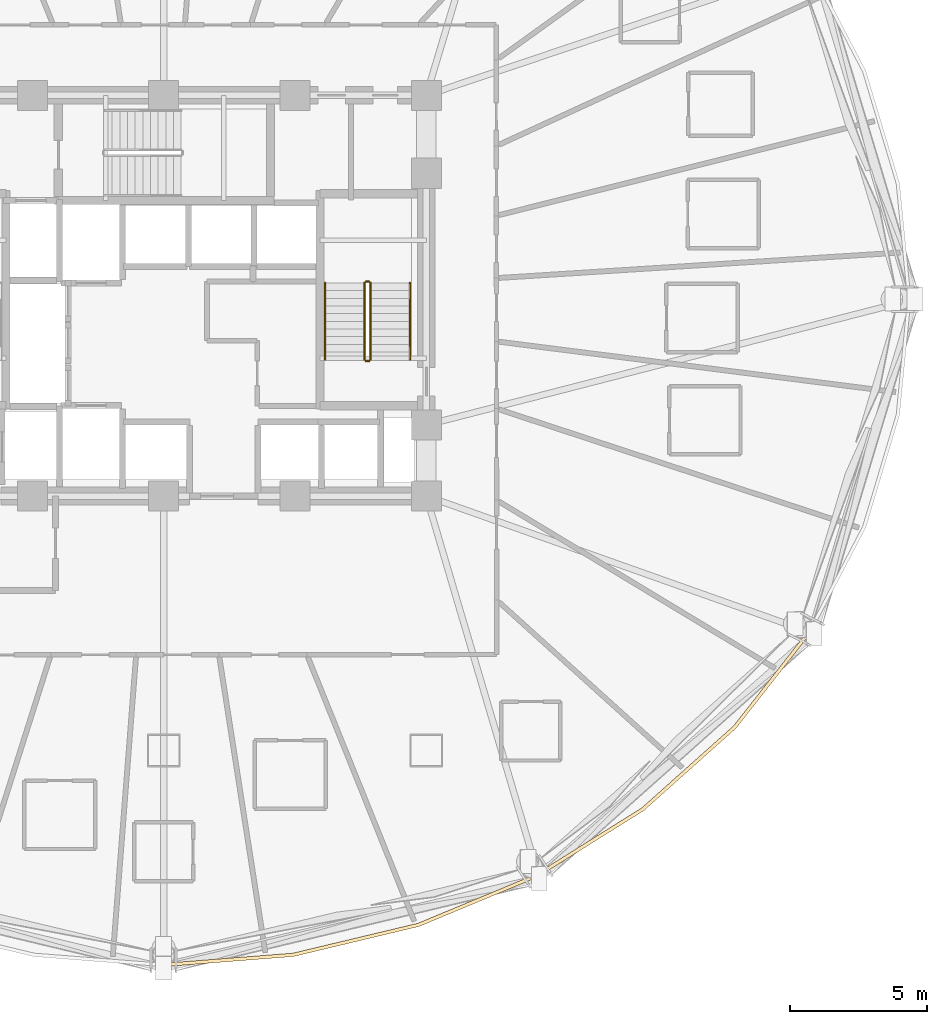
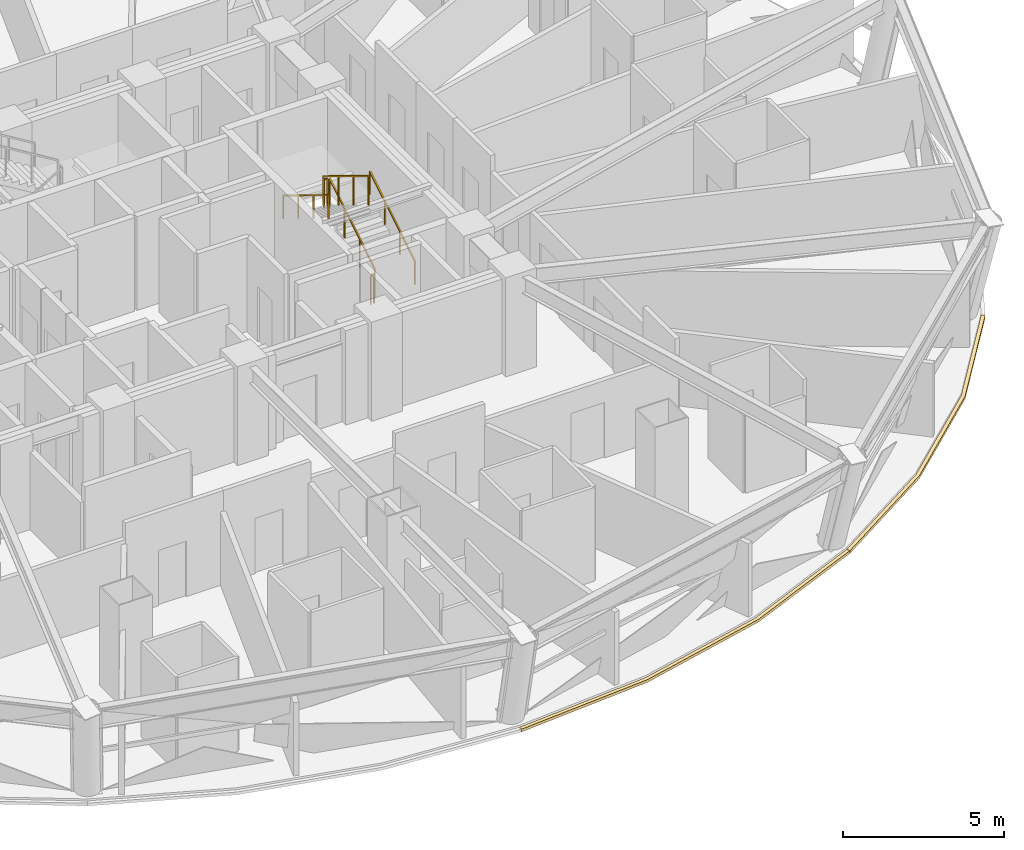
# One storey, part 12 of 13: 6 railings, 2 coverings.
"""IFC4 building model written with IfcOpenShell, lengths in metres."""

from ifc_helpers import new_model, si_unit, direction, frame, origin, origin_2d, place, context, subcontext, project, spatial, polyline, rectangle, outline, extrude, material, layer, layer_set, type_object, element, save


model = new_model("IFC4")

# Units and contexts
model_context = context("Model", 3, precision=1e-05, world=origin(), true_north=direction((0.0, 1.0)))
body_context = subcontext(model_context, "Body", "Model", "MODEL_VIEW")
ifc_project = project(units=[si_unit("LENGTHUNIT", "METRE"), si_unit("AREAUNIT", "SQUARE_METRE"), si_unit("VOLUMEUNIT", "CUBIC_METRE"), si_unit("PLANEANGLEUNIT", "RADIAN"), si_unit("MASSUNIT", "GRAM", prefix="KILO")], contexts=[model_context])

# Site, building, storey
site_placement = place(None, origin())
site = spatial("IfcSite", under=ifc_project, at=site_placement, CompositionType="ELEMENT")
building_placement = place(site_placement, origin())
building = spatial("IfcBuilding", under=site, at=building_placement, Name="Vantalir Tower", CompositionType="ELEMENT")
storey_placement = place(building_placement, frame((0.0, 0.0, 53.25)))
storey = spatial("IfcBuildingStorey", under=building, at=storey_placement, Name="L12", CompositionType="ELEMENT", Elevation=53.25)

# Coverings
ifc_material_1 = material(Name="Anodised champagne aluminium sill fascia", Category="aluminium")
ifc_layer = layer(ifc_material_1, 0.125)
ifc_layer_set = layer_set([ifc_layer], Name="Anodised champagne aluminium sill fascia")
covering_type = type_object("IfcCoveringType", Name="COV-SLAB-FASCIA-125", PredefinedType="CLADDING", material=ifc_layer_set)
covering_1_placement = place(storey_placement, frame((0.0, 0.0, -0.179931640625)))
element("IfcCovering", 1, at=covering_1_placement, inside=storey, type_object=covering_type, Name="L12 Perimeter Slab-Edge Sill Fascia 10", PredefinedType="CLADDING", context=body_context, shape_type="SweptSolid", body=[
    extrude(outline(polyline([(31.5, 0.59912109375), (36.242919921875, 0.969970703125), (40.842041015625, 2.071044921875), (45.156982421875, 3.867919921875), (45.094970703125, 3.97607421875), (40.799072265625, 2.18798828125), (36.220947265625, 1.093017578125), (31.5, 0.72412109375), (31.5, 0.59912109375)])), origin(), (0.0, 0.0, 1.0), 0.10498046875),
])
covering_2_placement = place(storey_placement, frame((0.0, 0.0, -0.179931640625)))
element("IfcCovering", 2, at=covering_2_placement, inside=storey, type_object=covering_type, Name="L12 Perimeter Slab-Edge Sill Fascia 11", PredefinedType="CLADDING", context=body_context, shape_type="SweptSolid", body=[
    extrude(outline(polyline([(45.156982421875, 3.867919921875), (49.056884765625, 6.30810546875), (52.424072265625, 9.31494140625), (55.155029296875, 12.799072265625), (55.0458984375, 12.862060546875), (52.327880859375, 9.39599609375), (48.97705078125, 6.404052734375), (45.094970703125, 3.97607421875), (45.156982421875, 3.867919921875)])), origin(), (0.0, 0.0, 1.0), 0.10498046875),
])

# Railings
ifc_material_2 = material(Name="Anodised aluminium and stainless steel guard", Category="steel")
railing_type_1 = type_object("IfcRailingType", Name="RAL-GUARD-1120", PredefinedType="GUARDRAIL", material=ifc_material_2)
railing_1_placement = place(storey_placement, frame((39.06005859375, 22.7900390625, 0.17041015625)))
element("IfcRailing", 3, at=railing_1_placement, inside=storey, type_object=railing_type_1, Name="L12 ST2 stair guard 1", PredefinedType="GUARDRAIL", context=body_context, shape_type="SweptSolid", body=[
    extrude(rectangle(XDim=0.048095703125, YDim=0.048095703125, at=origin_2d()), frame((0.0, 0.0, 1.09619140625), z_axis=(0.0, 0.854169791009, 0.51999420009), x_axis=(-1.0, 0.0, 0.0)), (0.0, 0.0, 1.0), 3.278076171875),
    extrude(rectangle(XDim=0.0419921875, YDim=0.0419921875, at=origin_2d()), origin(), (0.0, 0.0, 1.0), 1.072021484375),
    extrude(rectangle(XDim=0.0419921875, YDim=0.0419921875, at=origin_2d()), frame((0.0, 0.933349609375, 0.568115234375)), (0.0, 0.0, 1.0), 1.072021484375),
    extrude(rectangle(XDim=0.0419921875, YDim=0.0419921875, at=origin_2d()), frame((0.0, 1.86669921875, 1.136474609375)), (0.0, 0.0, 1.0), 1.072021484375),
    extrude(rectangle(XDim=0.0419921875, YDim=0.0419921875, at=origin_2d()), frame((0.0, 2.800048828125, 1.70458984375)), (0.0, 0.0, 1.0), 1.072021484375),
])
railing_2_placement = place(storey_placement, frame((39.010009765625, 25.639892578125, 1.875)))
element("IfcRailing", 4, at=railing_2_placement, inside=storey, type_object=railing_type_1, Name="L12 ST2 stair guard 2", PredefinedType="GUARDRAIL", context=body_context, shape_type="SweptSolid", body=[
    extrude(rectangle(XDim=0.048095703125, YDim=0.048095703125, at=origin_2d()), frame((0.0, 0.0, 1.09619140625), z_axis=(-1.0, 0.0, 0.0), x_axis=(0.0, -1.0, 0.0)), (0.0, 0.0, 1.0), 0.1201171875),
    extrude(rectangle(XDim=0.0419921875, YDim=0.0419921875, at=origin_2d()), origin(), (0.0, 0.0, 1.0), 1.072021484375),
    extrude(rectangle(XDim=0.0419921875, YDim=0.0419921875, at=origin_2d()), frame((-0.1201171875, 0.0, 0.0)), (0.0, 0.0, 1.0), 1.072021484375),
])
railing_3_placement = place(storey_placement, frame((38.840087890625, 25.590087890625, 2.04541015625)))
element("IfcRailing", 5, at=railing_3_placement, inside=storey, type_object=railing_type_1, Name="L12 ST2 stair guard 3", PredefinedType="GUARDRAIL", context=body_context, shape_type="SweptSolid", body=[
    extrude(rectangle(XDim=0.048095703125, YDim=0.048095703125, at=origin_2d()), frame((0.0, 0.0, 1.09619140625), z_axis=(0.0, -0.854169791009, 0.51999420009), x_axis=(1.0, 0.0, 0.0)), (0.0, 0.0, 1.0), 3.278076171875),
    extrude(rectangle(XDim=0.0419921875, YDim=0.0419921875, at=origin_2d()), origin(), (0.0, 0.0, 1.0), 1.072021484375),
    extrude(rectangle(XDim=0.0419921875, YDim=0.0419921875, at=origin_2d()), frame((0.0, -0.933349609375, 0.568115234375)), (0.0, 0.0, 1.0), 1.072021484375),
    extrude(rectangle(XDim=0.0419921875, YDim=0.0419921875, at=origin_2d()), frame((0.0, -1.86669921875, 1.136474609375)), (0.0, 0.0, 1.0), 1.072021484375),
    extrude(rectangle(XDim=0.0419921875, YDim=0.0419921875, at=origin_2d()), frame((0.0, -2.800048828125, 1.70458984375)), (0.0, 0.0, 1.0), 1.072021484375),
])
railing_4_placement = place(storey_placement, frame((39.010009765625, 22.739990234375, 0.0)))
element("IfcRailing", 6, at=railing_4_placement, inside=storey, type_object=railing_type_1, Name="L12 ST2 stair guard 4", PredefinedType="GUARDRAIL", context=body_context, shape_type="SweptSolid", body=[
    extrude(rectangle(XDim=0.048095703125, YDim=0.048095703125, at=origin_2d()), frame((0.0, 0.0, 1.09619140625), z_axis=(-1.0, 0.0, 0.0), x_axis=(0.0, -1.0, 0.0)), (0.0, 0.0, 1.0), 0.1201171875),
    extrude(rectangle(XDim=0.0419921875, YDim=0.0419921875, at=origin_2d()), origin(), (0.0, 0.0, 1.0), 1.072021484375),
    extrude(rectangle(XDim=0.0419921875, YDim=0.0419921875, at=origin_2d()), frame((-0.1201171875, 0.0, 0.0)), (0.0, 0.0, 1.0), 1.072021484375),
])
ifc_material_3 = material(Name="Brushed stainless steel tubular handrail", Category="steel")
railing_type_2 = type_object("IfcRailingType", Name="RAL-HANDRAIL-900", PredefinedType="HANDRAIL", material=ifc_material_3)
railing_5_placement = place(storey_placement, frame((40.5, 22.7900390625, 0.17041015625)))
element("IfcRailing", 7, at=railing_5_placement, inside=storey, type_object=railing_type_2, Name="L12 ST2 stair handrail 1", PredefinedType="HANDRAIL", context=body_context, shape_type="SweptSolid", body=[
    extrude(rectangle(XDim=0.048095703125, YDim=0.048095703125, at=origin_2d()), frame((0.0, 0.0, 0.8759765625), z_axis=(0.0, 0.854169791009, 0.51999420009), x_axis=(-1.0, 0.0, 0.0)), (0.0, 0.0, 1.0), 3.278076171875),
    extrude(rectangle(XDim=0.0419921875, YDim=0.0419921875, at=origin_2d()), origin(), (0.0, 0.0, 1.0), 0.851806640625),
    extrude(rectangle(XDim=0.0419921875, YDim=0.0419921875, at=origin_2d()), frame((0.0, 0.933349609375, 0.568115234375)), (0.0, 0.0, 1.0), 0.851806640625),
    extrude(rectangle(XDim=0.0419921875, YDim=0.0419921875, at=origin_2d()), frame((0.0, 1.86669921875, 1.136474609375)), (0.0, 0.0, 1.0), 0.851806640625),
    extrude(rectangle(XDim=0.0419921875, YDim=0.0419921875, at=origin_2d()), frame((0.0, 2.800048828125, 1.70458984375)), (0.0, 0.0, 1.0), 0.851806640625),
])
railing_6_placement = place(storey_placement, frame((37.39990234375, 25.590087890625, 2.04541015625)))
element("IfcRailing", 8, at=railing_6_placement, inside=storey, type_object=railing_type_2, Name="L12 ST2 stair handrail 2", PredefinedType="HANDRAIL", context=body_context, shape_type="SweptSolid", body=[
    extrude(rectangle(XDim=0.048095703125, YDim=0.048095703125, at=origin_2d()), frame((0.0, 0.0, 0.8759765625), z_axis=(0.0, -0.854169791009, 0.51999420009), x_axis=(1.0, 0.0, 0.0)), (0.0, 0.0, 1.0), 3.278076171875),
    extrude(rectangle(XDim=0.0419921875, YDim=0.0419921875, at=origin_2d()), origin(), (0.0, 0.0, 1.0), 0.851806640625),
    extrude(rectangle(XDim=0.0419921875, YDim=0.0419921875, at=origin_2d()), frame((0.0, -0.933349609375, 0.568115234375)), (0.0, 0.0, 1.0), 0.851806640625),
    extrude(rectangle(XDim=0.0419921875, YDim=0.0419921875, at=origin_2d()), frame((0.0, -1.86669921875, 1.136474609375)), (0.0, 0.0, 1.0), 0.851806640625),
    extrude(rectangle(XDim=0.0419921875, YDim=0.0419921875, at=origin_2d()), frame((0.0, -2.800048828125, 1.70458984375)), (0.0, 0.0, 1.0), 0.851806640625),
])

save(model, "model.ifc")
